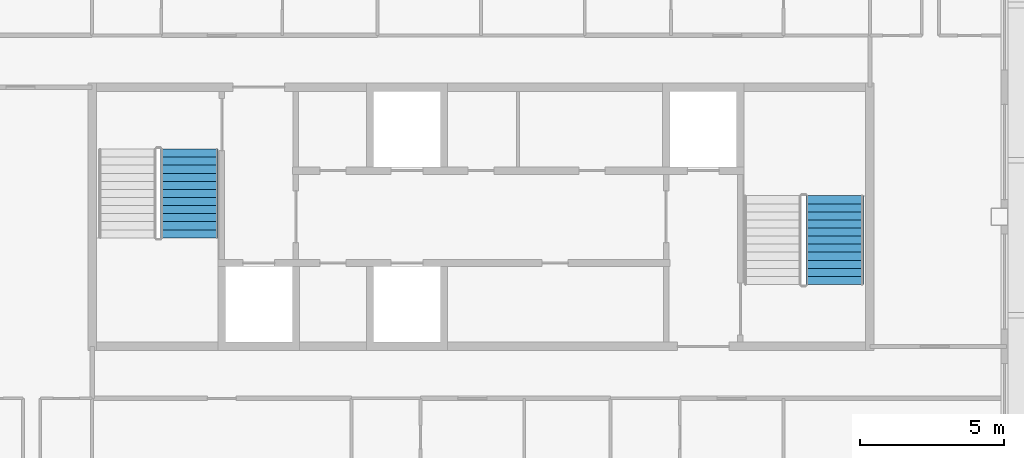
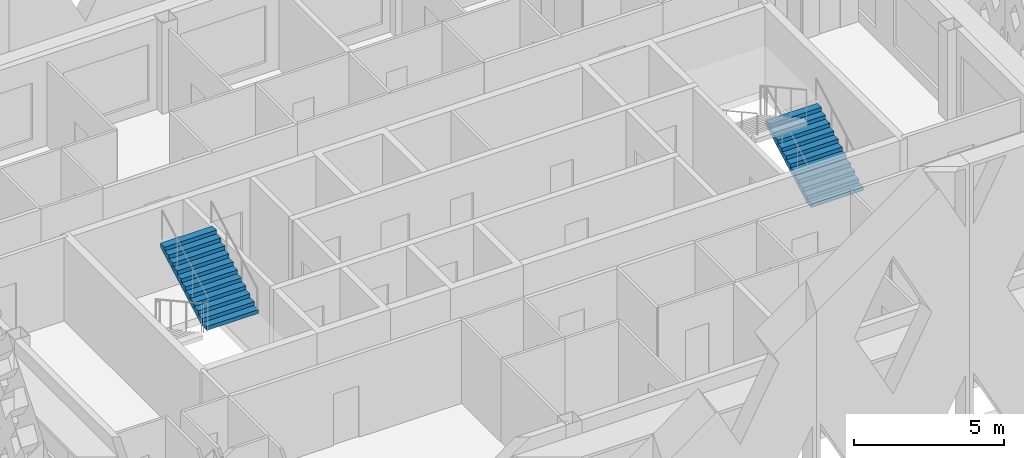
# One storey, part 8 of 13: 2 stair flights, 2 elements without a shape of their own.
"""IFC4 building model written with IfcOpenShell, lengths in metres."""

from ifc_helpers import new_model, si_unit, direction, frame, origin, place, context, subcontext, project, spatial, polygons, material, type_object, element, aggregate, save


model = new_model("IFC4")

# Units and contexts
model_context = context("Model", 3, precision=1e-05, world=origin(), true_north=direction((0.0, 1.0)))
body_context = subcontext(model_context, "Body", "Model", "MODEL_VIEW")
ifc_project = project(units=[si_unit("LENGTHUNIT", "METRE"), si_unit("AREAUNIT", "SQUARE_METRE"), si_unit("VOLUMEUNIT", "CUBIC_METRE"), si_unit("PLANEANGLEUNIT", "RADIAN"), si_unit("MASSUNIT", "GRAM", prefix="KILO")], contexts=[model_context])

# Site, building, storey
site_placement = place(None, origin())
site = spatial("IfcSite", under=ifc_project, at=site_placement, CompositionType="ELEMENT")
building_placement = place(site_placement, origin())
building = spatial("IfcBuilding", under=site, at=building_placement, Name="Caravel Reach Hotel and Residences", CompositionType="ELEMENT")
storey_placement = place(building_placement, frame((0.0, 0.0, 283.39990234375)))
storey = spatial("IfcBuildingStorey", under=building, at=storey_placement, Name="L72", CompositionType="ELEMENT", Elevation=283.39990234375)

# Stair, stair flight
ifc_material_1 = material(Name="Concrete C40", Category="concrete")
stair_type = type_object("IfcStairType", Name="Core stair", PredefinedType="HALF_TURN_STAIR", material=ifc_material_1)
stair_1_placement = place(storey_placement, origin())
stair_1 = element("IfcStair", 1, at=stair_1_placement, inside=storey, type_object=stair_type, Name="L72 Exit stair A", PredefinedType="HALF_TURN_STAIR")
ifc_material_2 = material(Name="Concrete C40", Category="concrete")
stair_flight_type = type_object("IfcStairFlightType", Name="Core stair flight", PredefinedType="STRAIGHT", material=ifc_material_2)
stair_flight_1_placement = place(storey_placement, frame((21.375, 26.27001953125, 1.85009765625), z_axis=(0.0, 0.0, 1.0), x_axis=(0.0, 1.0, 0.0)))
stair_flight_1 = element("IfcStairFlight", 2, at=stair_flight_1_placement, type_object=stair_flight_type, Name="ST-A flight 2", NumberOfRisers=12, NumberOfTreads=11, PredefinedType="STRAIGHT", RiserHeight=0.154166667, TreadLength=0.28, context=body_context, shape_type="Tessellation", body=[
    polygons([(0.3107950034306102, 1.0, 0.0), (0.3107950034306102, 0.6666666666666667, 0.0), (0.3107950034306102, 0.33333333333333337, 0.0), (0.3107950034306102, 0.0, 0.0), (0.3107950034306102, -0.33333333333333326, 0.0), (0.3107950034306102, -0.6666666666666667, 0.0), (0.3107950034306102, -1.0, 0.0), (3.081, 1.0, 1.524711087717319), (3.081, 0.6666666666666667, 1.524711087717319), (3.081, 0.33333333333333337, 1.524711087717319), (3.081, 0.0, 1.524711087717319), (3.081, -0.33333333333333326, 1.524711087717319), (3.081, -0.6666666666666667, 1.524711087717319), (3.081, -1.0, 1.524711087717319), (3.081, 1.0, 1.695833337), (3.081, 0.6666666666666667, 1.695833337), (3.081, 0.33333333333333337, 1.695833337), (3.081, 0.0, 1.695833337), (3.081, -0.33333333333333326, 1.695833337), (3.081, -0.6666666666666667, 1.695833337), (3.081, -1.0, 1.695833337), (2.8000000000000003, 1.0, 1.695833337), (2.8000000000000003, 0.6666666666666667, 1.695833337), (2.8000000000000003, 0.33333333333333337, 1.695833337), (2.8000000000000003, 0.0, 1.695833337), (2.8000000000000003, -0.33333333333333326, 1.695833337), (2.8000000000000003, -0.6666666666666667, 1.695833337), (2.8000000000000003, -1.0, 1.695833337), (2.8000000000000003, 1.0, 1.5416666700000001), (2.8000000000000003, 0.6666666666666667, 1.5416666700000001), (2.8000000000000003, 0.33333333333333337, 1.5416666700000001), (2.8000000000000003, 0.0, 1.5416666700000001), (2.8000000000000003, -0.33333333333333326, 1.5416666700000001), (2.8000000000000003, -0.6666666666666667, 1.5416666700000001), (2.8000000000000003, -1.0, 1.5416666700000001), (2.5200000000000005, 1.0, 1.5416666700000001), (2.5200000000000005, 0.6666666666666667, 1.5416666700000001), (2.5200000000000005, 0.33333333333333337, 1.5416666700000001), (2.5200000000000005, 0.0, 1.5416666700000001), (2.5200000000000005, -0.33333333333333326, 1.5416666700000001), (2.5200000000000005, -0.6666666666666667, 1.5416666700000001), (2.5200000000000005, -1.0, 1.5416666700000001), (2.5200000000000005, 1.0, 1.387500003), (2.5200000000000005, 0.6666666666666667, 1.387500003), (2.5200000000000005, 0.33333333333333337, 1.387500003), (2.5200000000000005, 0.0, 1.387500003), (2.5200000000000005, -0.33333333333333326, 1.387500003), (2.5200000000000005, -0.6666666666666667, 1.387500003), (2.5200000000000005, -1.0, 1.387500003), (2.24, 1.0, 1.387500003), (2.24, 0.6666666666666667, 1.387500003), (2.24, 0.33333333333333337, 1.387500003), (2.24, 0.0, 1.387500003), (2.24, -0.33333333333333326, 1.387500003), (2.24, -0.6666666666666667, 1.387500003), (2.24, -1.0, 1.387500003), (2.24, 1.0, 1.233333336), (2.24, 0.6666666666666667, 1.233333336), (2.24, 0.33333333333333337, 1.233333336), (2.24, 0.0, 1.233333336), (2.24, -0.33333333333333326, 1.233333336), (2.24, -0.6666666666666667, 1.233333336), (2.24, -1.0, 1.233333336), (1.9600000000000002, 1.0, 1.233333336), (1.9600000000000002, 0.6666666666666667, 1.233333336), (1.9600000000000002, 0.33333333333333337, 1.233333336), (1.9600000000000002, 0.0, 1.233333336), (1.9600000000000002, -0.33333333333333326, 1.233333336), (1.9600000000000002, -0.6666666666666667, 1.233333336), (1.9600000000000002, -1.0, 1.233333336), (1.9600000000000002, 1.0, 1.0791666690000001), (1.9600000000000002, 0.6666666666666667, 1.0791666690000001), (1.9600000000000002, 0.33333333333333337, 1.0791666690000001), (1.9600000000000002, 0.0, 1.0791666690000001), (1.9600000000000002, -0.33333333333333326, 1.0791666690000001), (1.9600000000000002, -0.6666666666666667, 1.0791666690000001), (1.9600000000000002, -1.0, 1.0791666690000001), (1.6800000000000002, 1.0, 1.0791666690000001), (1.6800000000000002, 0.6666666666666667, 1.0791666690000001), (1.6800000000000002, 0.33333333333333337, 1.0791666690000001), (1.6800000000000002, 0.0, 1.0791666690000001), (1.6800000000000002, -0.33333333333333326, 1.0791666690000001), (1.6800000000000002, -0.6666666666666667, 1.0791666690000001), (1.6800000000000002, -1.0, 1.0791666690000001), (1.6800000000000002, 1.0, 0.925000002), (1.6800000000000002, 0.6666666666666667, 0.925000002), (1.6800000000000002, 0.33333333333333337, 0.925000002), (1.6800000000000002, 0.0, 0.925000002), (1.6800000000000002, -0.33333333333333326, 0.925000002), (1.6800000000000002, -0.6666666666666667, 0.925000002), (1.6800000000000002, -1.0, 0.925000002), (1.4000000000000001, 1.0, 0.925000002), (1.4000000000000001, 0.6666666666666667, 0.925000002), (1.4000000000000001, 0.33333333333333337, 0.925000002), (1.4000000000000001, 0.0, 0.925000002), (1.4000000000000001, -0.33333333333333326, 0.925000002), (1.4000000000000001, -0.6666666666666667, 0.925000002), (1.4000000000000001, -1.0, 0.925000002), (1.4000000000000001, 1.0, 0.7708333350000001), (1.4000000000000001, 0.6666666666666667, 0.7708333350000001), (1.4000000000000001, 0.33333333333333337, 0.7708333350000001), (1.4000000000000001, 0.0, 0.7708333350000001), (1.4000000000000001, -0.33333333333333326, 0.7708333350000001), (1.4000000000000001, -0.6666666666666667, 0.7708333350000001), (1.4000000000000001, -1.0, 0.7708333350000001), (1.12, 1.0, 0.7708333350000001), (1.12, 0.6666666666666667, 0.7708333350000001), (1.12, 0.33333333333333337, 0.7708333350000001), (1.12, 0.0, 0.7708333350000001), (1.12, -0.33333333333333326, 0.7708333350000001), (1.12, -0.6666666666666667, 0.7708333350000001), (1.12, -1.0, 0.7708333350000001), (1.12, 1.0, 0.616666668), (1.12, 0.6666666666666667, 0.616666668), (1.12, 0.33333333333333337, 0.616666668), (1.12, 0.0, 0.616666668), (1.12, -0.33333333333333326, 0.616666668), (1.12, -0.6666666666666667, 0.616666668), (1.12, -1.0, 0.616666668), (0.8400000000000001, 1.0, 0.616666668), (0.8400000000000001, 0.6666666666666667, 0.616666668), (0.8400000000000001, 0.33333333333333337, 0.616666668), (0.8400000000000001, 0.0, 0.616666668), (0.8400000000000001, -0.33333333333333326, 0.616666668), (0.8400000000000001, -0.6666666666666667, 0.616666668), (0.8400000000000001, -1.0, 0.616666668), (0.8400000000000001, 1.0, 0.462500001), (0.8400000000000001, 0.6666666666666667, 0.462500001), (0.8400000000000001, 0.33333333333333337, 0.462500001), (0.8400000000000001, 0.0, 0.462500001), (0.8400000000000001, -0.33333333333333326, 0.462500001), (0.8400000000000001, -0.6666666666666667, 0.462500001), (0.8400000000000001, -1.0, 0.462500001), (0.56, 1.0, 0.462500001), (0.56, 0.6666666666666667, 0.462500001), (0.56, 0.33333333333333337, 0.462500001), (0.56, 0.0, 0.462500001), (0.56, -0.33333333333333326, 0.462500001), (0.56, -0.6666666666666667, 0.462500001), (0.56, -1.0, 0.462500001), (0.56, 1.0, 0.308333334), (0.56, 0.6666666666666667, 0.308333334), (0.56, 0.33333333333333337, 0.308333334), (0.56, 0.0, 0.308333334), (0.56, -0.33333333333333326, 0.308333334), (0.56, -0.6666666666666667, 0.308333334), (0.56, -1.0, 0.308333334), (0.28, 1.0, 0.308333334), (0.28, 0.6666666666666667, 0.308333334), (0.28, 0.33333333333333337, 0.308333334), (0.28, 0.0, 0.308333334), (0.28, -0.33333333333333326, 0.308333334), (0.28, -0.6666666666666667, 0.308333334), (0.28, -1.0, 0.308333334), (0.28, 1.0, 0.154166667), (0.28, 0.6666666666666667, 0.154166667), (0.28, 0.33333333333333337, 0.154166667), (0.28, 0.0, 0.154166667), (0.28, -0.33333333333333326, 0.154166667), (0.28, -0.6666666666666667, 0.154166667), (0.28, -1.0, 0.154166667), (-0.001, 1.0, 0.154166667), (-0.001, 0.6666666666666667, 0.154166667), (-0.001, 0.33333333333333337, 0.154166667), (-0.001, 0.0, 0.154166667), (-0.001, -0.33333333333333326, 0.154166667), (-0.001, -0.6666666666666667, 0.154166667), (-0.001, -1.0, 0.154166667), (-0.001, 1.0, 0.0), (-0.001, 0.6666666666666667, 0.0), (-0.001, 0.33333333333333337, 0.0), (-0.001, 0.0, 0.0), (-0.001, -0.33333333333333326, 0.0), (-0.001, -0.6666666666666667, 0.0), (-0.001, -1.0, 0.0)], [[[169, 162, 155, 148, 141, 134, 127, 120, 113, 106, 99, 92, 85, 78, 71, 64, 57, 50, 43, 36, 29, 22, 15, 8, 1]], [[7, 14, 21, 28, 35, 42, 49, 56, 63, 70, 77, 84, 91, 98, 105, 112, 119, 126, 133, 140, 147, 154, 161, 168, 175]], [[1, 8, 9, 2]], [[2, 9, 10, 3]], [[3, 10, 11, 4]], [[4, 11, 12, 5]], [[5, 12, 13, 6]], [[6, 13, 14, 7]], [[8, 15, 16, 9]], [[9, 16, 17, 10]], [[10, 17, 18, 11]], [[11, 18, 19, 12]], [[12, 19, 20, 13]], [[13, 20, 21, 14]], [[15, 22, 23, 16]], [[16, 23, 24, 17]], [[17, 24, 25, 18]], [[18, 25, 26, 19]], [[19, 26, 27, 20]], [[20, 27, 28, 21]], [[22, 29, 30, 23]], [[23, 30, 31, 24]], [[24, 31, 32, 25]], [[25, 32, 33, 26]], [[26, 33, 34, 27]], [[27, 34, 35, 28]], [[29, 36, 37, 30]], [[30, 37, 38, 31]], [[31, 38, 39, 32]], [[32, 39, 40, 33]], [[33, 40, 41, 34]], [[34, 41, 42, 35]], [[36, 43, 44, 37]], [[37, 44, 45, 38]], [[38, 45, 46, 39]], [[39, 46, 47, 40]], [[40, 47, 48, 41]], [[41, 48, 49, 42]], [[43, 50, 51, 44]], [[44, 51, 52, 45]], [[45, 52, 53, 46]], [[46, 53, 54, 47]], [[47, 54, 55, 48]], [[48, 55, 56, 49]], [[50, 57, 58, 51]], [[51, 58, 59, 52]], [[52, 59, 60, 53]], [[53, 60, 61, 54]], [[54, 61, 62, 55]], [[55, 62, 63, 56]], [[57, 64, 65, 58]], [[58, 65, 66, 59]], [[59, 66, 67, 60]], [[60, 67, 68, 61]], [[61, 68, 69, 62]], [[62, 69, 70, 63]], [[64, 71, 72, 65]], [[65, 72, 73, 66]], [[66, 73, 74, 67]], [[67, 74, 75, 68]], [[68, 75, 76, 69]], [[69, 76, 77, 70]], [[71, 78, 79, 72]], [[72, 79, 80, 73]], [[73, 80, 81, 74]], [[74, 81, 82, 75]], [[75, 82, 83, 76]], [[76, 83, 84, 77]], [[78, 85, 86, 79]], [[79, 86, 87, 80]], [[80, 87, 88, 81]], [[81, 88, 89, 82]], [[82, 89, 90, 83]], [[83, 90, 91, 84]], [[85, 92, 93, 86]], [[86, 93, 94, 87]], [[87, 94, 95, 88]], [[88, 95, 96, 89]], [[89, 96, 97, 90]], [[90, 97, 98, 91]], [[92, 99, 100, 93]], [[93, 100, 101, 94]], [[94, 101, 102, 95]], [[95, 102, 103, 96]], [[96, 103, 104, 97]], [[97, 104, 105, 98]], [[99, 106, 107, 100]], [[100, 107, 108, 101]], [[101, 108, 109, 102]], [[102, 109, 110, 103]], [[103, 110, 111, 104]], [[104, 111, 112, 105]], [[106, 113, 114, 107]], [[107, 114, 115, 108]], [[108, 115, 116, 109]], [[109, 116, 117, 110]], [[110, 117, 118, 111]], [[111, 118, 119, 112]], [[113, 120, 121, 114]], [[114, 121, 122, 115]], [[115, 122, 123, 116]], [[116, 123, 124, 117]], [[117, 124, 125, 118]], [[118, 125, 126, 119]], [[120, 127, 128, 121]], [[121, 128, 129, 122]], [[122, 129, 130, 123]], [[123, 130, 131, 124]], [[124, 131, 132, 125]], [[125, 132, 133, 126]], [[127, 134, 135, 128]], [[128, 135, 136, 129]], [[129, 136, 137, 130]], [[130, 137, 138, 131]], [[131, 138, 139, 132]], [[132, 139, 140, 133]], [[134, 141, 142, 135]], [[135, 142, 143, 136]], [[136, 143, 144, 137]], [[137, 144, 145, 138]], [[138, 145, 146, 139]], [[139, 146, 147, 140]], [[141, 148, 149, 142]], [[142, 149, 150, 143]], [[143, 150, 151, 144]], [[144, 151, 152, 145]], [[145, 152, 153, 146]], [[146, 153, 154, 147]], [[148, 155, 156, 149]], [[149, 156, 157, 150]], [[150, 157, 158, 151]], [[151, 158, 159, 152]], [[152, 159, 160, 153]], [[153, 160, 161, 154]], [[155, 162, 163, 156]], [[156, 163, 164, 157]], [[157, 164, 165, 158]], [[158, 165, 166, 159]], [[159, 166, 167, 160]], [[160, 167, 168, 161]], [[162, 169, 170, 163]], [[163, 170, 171, 164]], [[164, 171, 172, 165]], [[165, 172, 173, 166]], [[166, 173, 174, 167]], [[167, 174, 175, 168]], [[169, 1, 2, 170]], [[170, 2, 3, 171]], [[171, 3, 4, 172]], [[172, 4, 5, 173]], [[173, 5, 6, 174]], [[174, 6, 7, 175]]], closed=True),
])
aggregate(stair_1, [stair_flight_1])

stair_2_placement = place(storey_placement, origin())
stair_2 = element("IfcStair", 3, at=stair_2_placement, inside=storey, type_object=stair_type, Name="L72 Exit stair B", PredefinedType="HALF_TURN_STAIR")
stair_flight_2_placement = place(storey_placement, frame((43.77490234375, 24.64990234375, 0.0), z_axis=(0.0, 0.0, 1.0), x_axis=(0.0, 1.0, 0.0)))
stair_flight_2 = element("IfcStairFlight", 4, at=stair_flight_2_placement, type_object=stair_flight_type, Name="ST-B flight 1", NumberOfRisers=12, NumberOfTreads=11, PredefinedType="STRAIGHT", RiserHeight=0.154166667, TreadLength=0.28, context=body_context, shape_type="Tessellation", body=[
    polygons([(0.3107950034306102, 1.0, 0.0), (0.3107950034306102, 0.6666666666666667, 0.0), (0.3107950034306102, 0.33333333333333337, 0.0), (0.3107950034306102, 0.0, 0.0), (0.3107950034306102, -0.33333333333333326, 0.0), (0.3107950034306102, -0.6666666666666667, 0.0), (0.3107950034306102, -1.0, 0.0), (3.081, 1.0, 1.524711087717319), (3.081, 0.6666666666666667, 1.524711087717319), (3.081, 0.33333333333333337, 1.524711087717319), (3.081, 0.0, 1.524711087717319), (3.081, -0.33333333333333326, 1.524711087717319), (3.081, -0.6666666666666667, 1.524711087717319), (3.081, -1.0, 1.524711087717319), (3.081, 1.0, 1.695833337), (3.081, 0.6666666666666667, 1.695833337), (3.081, 0.33333333333333337, 1.695833337), (3.081, 0.0, 1.695833337), (3.081, -0.33333333333333326, 1.695833337), (3.081, -0.6666666666666667, 1.695833337), (3.081, -1.0, 1.695833337), (2.8000000000000003, 1.0, 1.695833337), (2.8000000000000003, 0.6666666666666667, 1.695833337), (2.8000000000000003, 0.33333333333333337, 1.695833337), (2.8000000000000003, 0.0, 1.695833337), (2.8000000000000003, -0.33333333333333326, 1.695833337), (2.8000000000000003, -0.6666666666666667, 1.695833337), (2.8000000000000003, -1.0, 1.695833337), (2.8000000000000003, 1.0, 1.5416666700000001), (2.8000000000000003, 0.6666666666666667, 1.5416666700000001), (2.8000000000000003, 0.33333333333333337, 1.5416666700000001), (2.8000000000000003, 0.0, 1.5416666700000001), (2.8000000000000003, -0.33333333333333326, 1.5416666700000001), (2.8000000000000003, -0.6666666666666667, 1.5416666700000001), (2.8000000000000003, -1.0, 1.5416666700000001), (2.5200000000000005, 1.0, 1.5416666700000001), (2.5200000000000005, 0.6666666666666667, 1.5416666700000001), (2.5200000000000005, 0.33333333333333337, 1.5416666700000001), (2.5200000000000005, 0.0, 1.5416666700000001), (2.5200000000000005, -0.33333333333333326, 1.5416666700000001), (2.5200000000000005, -0.6666666666666667, 1.5416666700000001), (2.5200000000000005, -1.0, 1.5416666700000001), (2.5200000000000005, 1.0, 1.387500003), (2.5200000000000005, 0.6666666666666667, 1.387500003), (2.5200000000000005, 0.33333333333333337, 1.387500003), (2.5200000000000005, 0.0, 1.387500003), (2.5200000000000005, -0.33333333333333326, 1.387500003), (2.5200000000000005, -0.6666666666666667, 1.387500003), (2.5200000000000005, -1.0, 1.387500003), (2.24, 1.0, 1.387500003), (2.24, 0.6666666666666667, 1.387500003), (2.24, 0.33333333333333337, 1.387500003), (2.24, 0.0, 1.387500003), (2.24, -0.33333333333333326, 1.387500003), (2.24, -0.6666666666666667, 1.387500003), (2.24, -1.0, 1.387500003), (2.24, 1.0, 1.233333336), (2.24, 0.6666666666666667, 1.233333336), (2.24, 0.33333333333333337, 1.233333336), (2.24, 0.0, 1.233333336), (2.24, -0.33333333333333326, 1.233333336), (2.24, -0.6666666666666667, 1.233333336), (2.24, -1.0, 1.233333336), (1.9600000000000002, 1.0, 1.233333336), (1.9600000000000002, 0.6666666666666667, 1.233333336), (1.9600000000000002, 0.33333333333333337, 1.233333336), (1.9600000000000002, 0.0, 1.233333336), (1.9600000000000002, -0.33333333333333326, 1.233333336), (1.9600000000000002, -0.6666666666666667, 1.233333336), (1.9600000000000002, -1.0, 1.233333336), (1.9600000000000002, 1.0, 1.0791666690000001), (1.9600000000000002, 0.6666666666666667, 1.0791666690000001), (1.9600000000000002, 0.33333333333333337, 1.0791666690000001), (1.9600000000000002, 0.0, 1.0791666690000001), (1.9600000000000002, -0.33333333333333326, 1.0791666690000001), (1.9600000000000002, -0.6666666666666667, 1.0791666690000001), (1.9600000000000002, -1.0, 1.0791666690000001), (1.6800000000000002, 1.0, 1.0791666690000001), (1.6800000000000002, 0.6666666666666667, 1.0791666690000001), (1.6800000000000002, 0.33333333333333337, 1.0791666690000001), (1.6800000000000002, 0.0, 1.0791666690000001), (1.6800000000000002, -0.33333333333333326, 1.0791666690000001), (1.6800000000000002, -0.6666666666666667, 1.0791666690000001), (1.6800000000000002, -1.0, 1.0791666690000001), (1.6800000000000002, 1.0, 0.925000002), (1.6800000000000002, 0.6666666666666667, 0.925000002), (1.6800000000000002, 0.33333333333333337, 0.925000002), (1.6800000000000002, 0.0, 0.925000002), (1.6800000000000002, -0.33333333333333326, 0.925000002), (1.6800000000000002, -0.6666666666666667, 0.925000002), (1.6800000000000002, -1.0, 0.925000002), (1.4000000000000001, 1.0, 0.925000002), (1.4000000000000001, 0.6666666666666667, 0.925000002), (1.4000000000000001, 0.33333333333333337, 0.925000002), (1.4000000000000001, 0.0, 0.925000002), (1.4000000000000001, -0.33333333333333326, 0.925000002), (1.4000000000000001, -0.6666666666666667, 0.925000002), (1.4000000000000001, -1.0, 0.925000002), (1.4000000000000001, 1.0, 0.7708333350000001), (1.4000000000000001, 0.6666666666666667, 0.7708333350000001), (1.4000000000000001, 0.33333333333333337, 0.7708333350000001), (1.4000000000000001, 0.0, 0.7708333350000001), (1.4000000000000001, -0.33333333333333326, 0.7708333350000001), (1.4000000000000001, -0.6666666666666667, 0.7708333350000001), (1.4000000000000001, -1.0, 0.7708333350000001), (1.12, 1.0, 0.7708333350000001), (1.12, 0.6666666666666667, 0.7708333350000001), (1.12, 0.33333333333333337, 0.7708333350000001), (1.12, 0.0, 0.7708333350000001), (1.12, -0.33333333333333326, 0.7708333350000001), (1.12, -0.6666666666666667, 0.7708333350000001), (1.12, -1.0, 0.7708333350000001), (1.12, 1.0, 0.616666668), (1.12, 0.6666666666666667, 0.616666668), (1.12, 0.33333333333333337, 0.616666668), (1.12, 0.0, 0.616666668), (1.12, -0.33333333333333326, 0.616666668), (1.12, -0.6666666666666667, 0.616666668), (1.12, -1.0, 0.616666668), (0.8400000000000001, 1.0, 0.616666668), (0.8400000000000001, 0.6666666666666667, 0.616666668), (0.8400000000000001, 0.33333333333333337, 0.616666668), (0.8400000000000001, 0.0, 0.616666668), (0.8400000000000001, -0.33333333333333326, 0.616666668), (0.8400000000000001, -0.6666666666666667, 0.616666668), (0.8400000000000001, -1.0, 0.616666668), (0.8400000000000001, 1.0, 0.462500001), (0.8400000000000001, 0.6666666666666667, 0.462500001), (0.8400000000000001, 0.33333333333333337, 0.462500001), (0.8400000000000001, 0.0, 0.462500001), (0.8400000000000001, -0.33333333333333326, 0.462500001), (0.8400000000000001, -0.6666666666666667, 0.462500001), (0.8400000000000001, -1.0, 0.462500001), (0.56, 1.0, 0.462500001), (0.56, 0.6666666666666667, 0.462500001), (0.56, 0.33333333333333337, 0.462500001), (0.56, 0.0, 0.462500001), (0.56, -0.33333333333333326, 0.462500001), (0.56, -0.6666666666666667, 0.462500001), (0.56, -1.0, 0.462500001), (0.56, 1.0, 0.308333334), (0.56, 0.6666666666666667, 0.308333334), (0.56, 0.33333333333333337, 0.308333334), (0.56, 0.0, 0.308333334), (0.56, -0.33333333333333326, 0.308333334), (0.56, -0.6666666666666667, 0.308333334), (0.56, -1.0, 0.308333334), (0.28, 1.0, 0.308333334), (0.28, 0.6666666666666667, 0.308333334), (0.28, 0.33333333333333337, 0.308333334), (0.28, 0.0, 0.308333334), (0.28, -0.33333333333333326, 0.308333334), (0.28, -0.6666666666666667, 0.308333334), (0.28, -1.0, 0.308333334), (0.28, 1.0, 0.154166667), (0.28, 0.6666666666666667, 0.154166667), (0.28, 0.33333333333333337, 0.154166667), (0.28, 0.0, 0.154166667), (0.28, -0.33333333333333326, 0.154166667), (0.28, -0.6666666666666667, 0.154166667), (0.28, -1.0, 0.154166667), (-0.001, 1.0, 0.154166667), (-0.001, 0.6666666666666667, 0.154166667), (-0.001, 0.33333333333333337, 0.154166667), (-0.001, 0.0, 0.154166667), (-0.001, -0.33333333333333326, 0.154166667), (-0.001, -0.6666666666666667, 0.154166667), (-0.001, -1.0, 0.154166667), (-0.001, 1.0, 0.0), (-0.001, 0.6666666666666667, 0.0), (-0.001, 0.33333333333333337, 0.0), (-0.001, 0.0, 0.0), (-0.001, -0.33333333333333326, 0.0), (-0.001, -0.6666666666666667, 0.0), (-0.001, -1.0, 0.0)], [[[169, 162, 155, 148, 141, 134, 127, 120, 113, 106, 99, 92, 85, 78, 71, 64, 57, 50, 43, 36, 29, 22, 15, 8, 1]], [[7, 14, 21, 28, 35, 42, 49, 56, 63, 70, 77, 84, 91, 98, 105, 112, 119, 126, 133, 140, 147, 154, 161, 168, 175]], [[1, 8, 9, 2]], [[2, 9, 10, 3]], [[3, 10, 11, 4]], [[4, 11, 12, 5]], [[5, 12, 13, 6]], [[6, 13, 14, 7]], [[8, 15, 16, 9]], [[9, 16, 17, 10]], [[10, 17, 18, 11]], [[11, 18, 19, 12]], [[12, 19, 20, 13]], [[13, 20, 21, 14]], [[15, 22, 23, 16]], [[16, 23, 24, 17]], [[17, 24, 25, 18]], [[18, 25, 26, 19]], [[19, 26, 27, 20]], [[20, 27, 28, 21]], [[22, 29, 30, 23]], [[23, 30, 31, 24]], [[24, 31, 32, 25]], [[25, 32, 33, 26]], [[26, 33, 34, 27]], [[27, 34, 35, 28]], [[29, 36, 37, 30]], [[30, 37, 38, 31]], [[31, 38, 39, 32]], [[32, 39, 40, 33]], [[33, 40, 41, 34]], [[34, 41, 42, 35]], [[36, 43, 44, 37]], [[37, 44, 45, 38]], [[38, 45, 46, 39]], [[39, 46, 47, 40]], [[40, 47, 48, 41]], [[41, 48, 49, 42]], [[43, 50, 51, 44]], [[44, 51, 52, 45]], [[45, 52, 53, 46]], [[46, 53, 54, 47]], [[47, 54, 55, 48]], [[48, 55, 56, 49]], [[50, 57, 58, 51]], [[51, 58, 59, 52]], [[52, 59, 60, 53]], [[53, 60, 61, 54]], [[54, 61, 62, 55]], [[55, 62, 63, 56]], [[57, 64, 65, 58]], [[58, 65, 66, 59]], [[59, 66, 67, 60]], [[60, 67, 68, 61]], [[61, 68, 69, 62]], [[62, 69, 70, 63]], [[64, 71, 72, 65]], [[65, 72, 73, 66]], [[66, 73, 74, 67]], [[67, 74, 75, 68]], [[68, 75, 76, 69]], [[69, 76, 77, 70]], [[71, 78, 79, 72]], [[72, 79, 80, 73]], [[73, 80, 81, 74]], [[74, 81, 82, 75]], [[75, 82, 83, 76]], [[76, 83, 84, 77]], [[78, 85, 86, 79]], [[79, 86, 87, 80]], [[80, 87, 88, 81]], [[81, 88, 89, 82]], [[82, 89, 90, 83]], [[83, 90, 91, 84]], [[85, 92, 93, 86]], [[86, 93, 94, 87]], [[87, 94, 95, 88]], [[88, 95, 96, 89]], [[89, 96, 97, 90]], [[90, 97, 98, 91]], [[92, 99, 100, 93]], [[93, 100, 101, 94]], [[94, 101, 102, 95]], [[95, 102, 103, 96]], [[96, 103, 104, 97]], [[97, 104, 105, 98]], [[99, 106, 107, 100]], [[100, 107, 108, 101]], [[101, 108, 109, 102]], [[102, 109, 110, 103]], [[103, 110, 111, 104]], [[104, 111, 112, 105]], [[106, 113, 114, 107]], [[107, 114, 115, 108]], [[108, 115, 116, 109]], [[109, 116, 117, 110]], [[110, 117, 118, 111]], [[111, 118, 119, 112]], [[113, 120, 121, 114]], [[114, 121, 122, 115]], [[115, 122, 123, 116]], [[116, 123, 124, 117]], [[117, 124, 125, 118]], [[118, 125, 126, 119]], [[120, 127, 128, 121]], [[121, 128, 129, 122]], [[122, 129, 130, 123]], [[123, 130, 131, 124]], [[124, 131, 132, 125]], [[125, 132, 133, 126]], [[127, 134, 135, 128]], [[128, 135, 136, 129]], [[129, 136, 137, 130]], [[130, 137, 138, 131]], [[131, 138, 139, 132]], [[132, 139, 140, 133]], [[134, 141, 142, 135]], [[135, 142, 143, 136]], [[136, 143, 144, 137]], [[137, 144, 145, 138]], [[138, 145, 146, 139]], [[139, 146, 147, 140]], [[141, 148, 149, 142]], [[142, 149, 150, 143]], [[143, 150, 151, 144]], [[144, 151, 152, 145]], [[145, 152, 153, 146]], [[146, 153, 154, 147]], [[148, 155, 156, 149]], [[149, 156, 157, 150]], [[150, 157, 158, 151]], [[151, 158, 159, 152]], [[152, 159, 160, 153]], [[153, 160, 161, 154]], [[155, 162, 163, 156]], [[156, 163, 164, 157]], [[157, 164, 165, 158]], [[158, 165, 166, 159]], [[159, 166, 167, 160]], [[160, 167, 168, 161]], [[162, 169, 170, 163]], [[163, 170, 171, 164]], [[164, 171, 172, 165]], [[165, 172, 173, 166]], [[166, 173, 174, 167]], [[167, 174, 175, 168]], [[169, 1, 2, 170]], [[170, 2, 3, 171]], [[171, 3, 4, 172]], [[172, 4, 5, 173]], [[173, 5, 6, 174]], [[174, 6, 7, 175]]], closed=True),
])
aggregate(stair_2, [stair_flight_2])

save(model, "model.ifc")
